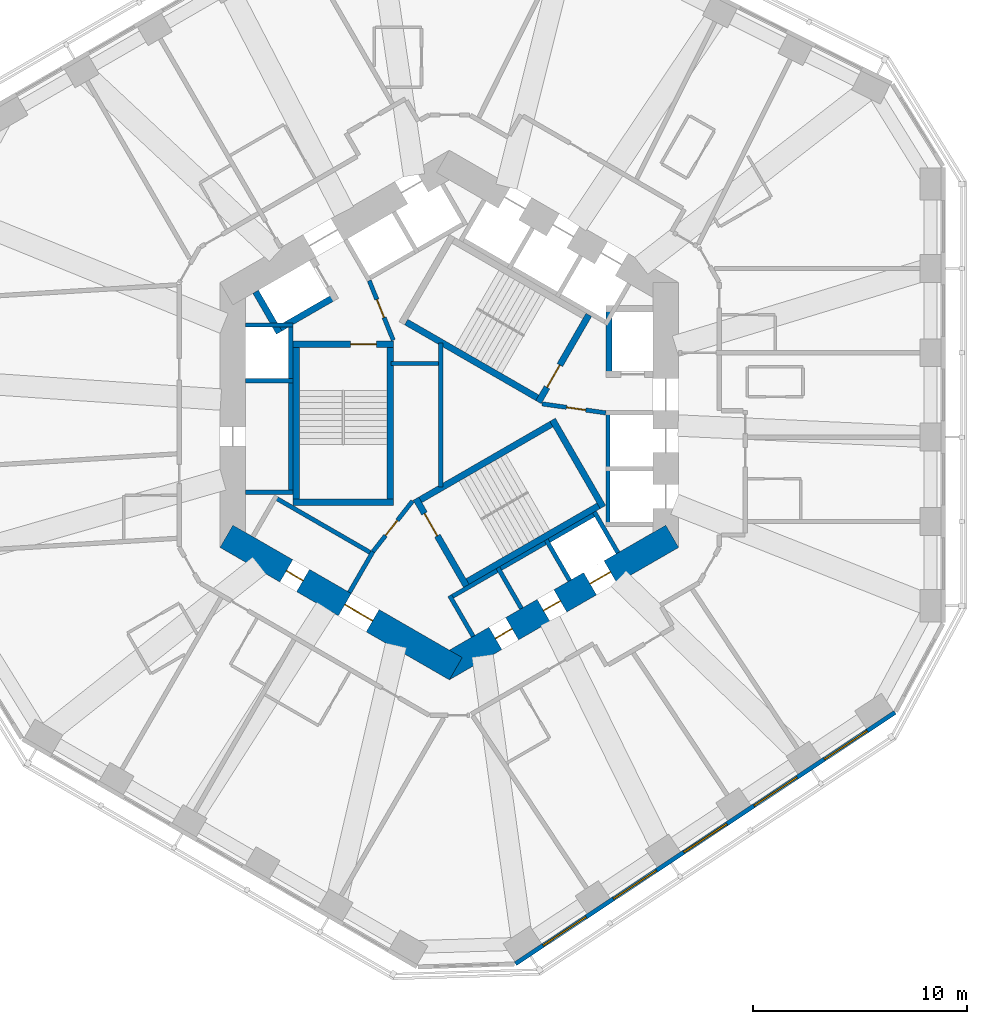
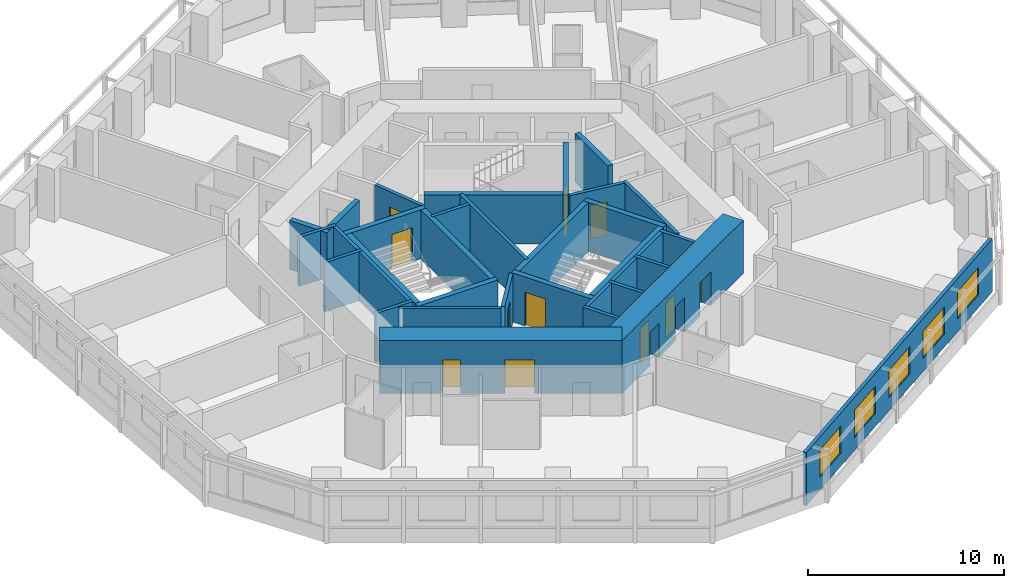
# One storey, part 5 of 12: 33 walls, 11 doors, 5 windows, 16 openings.
"""IFC4 building model written with IfcOpenShell, lengths in metres."""

from ifc_helpers import new_model, si_unit, direction, frame, frame_2d, origin, place, context, subcontext, project, spatial, rectangle, extrude, material, layer, layer_set, type_object, element, fill, save


model = new_model("IFC4")

# Units and contexts
model_context = context("Model", 3, precision=1e-05, world=origin(), true_north=direction((0.0, 1.0)))
body_context = subcontext(model_context, "Body", "Model", "MODEL_VIEW")
ifc_project = project(units=[si_unit("LENGTHUNIT", "METRE"), si_unit("AREAUNIT", "SQUARE_METRE"), si_unit("VOLUMEUNIT", "CUBIC_METRE"), si_unit("PLANEANGLEUNIT", "RADIAN"), si_unit("MASSUNIT", "GRAM", prefix="KILO")], contexts=[model_context])

# Site, building, storey
site_placement = place(None, origin())
site = spatial("IfcSite", under=ifc_project, at=site_placement, CompositionType="ELEMENT")
building_placement = place(site_placement, origin())
building = spatial("IfcBuilding", under=site, at=building_placement, Name="Vanh Sen Convention Tower", CompositionType="ELEMENT")
storey_placement = place(building_placement, frame((0.0, 0.0, 44.0)))
storey = spatial("IfcBuildingStorey", under=building, at=storey_placement, Name="L07", CompositionType="ELEMENT", Elevation=44.0)

# Wall, openings, doors
ifc_material_1 = material(Name="Concrete C80/95", Category="concrete")
ifc_layer_1 = layer(ifc_material_1, 1.199951171875)
ifc_layer_set_1 = layer_set([ifc_layer_1], Name="Concrete C80/95")
wall_type_1 = type_object("IfcWallType", Name="Core outer wall 1200 C80/95", PredefinedType="SHEAR", material=ifc_layer_set_1)
wall_1_placement = place(storey_placement, frame((-10.39990234375, -5.657958984375, 0.0), z_axis=(0.0, 0.0, 1.0), x_axis=(0.866021384402, -0.500006961711, 0.0)))
wall_1 = element("IfcWall", 1, at=wall_1_placement, inside=storey, type_object=wall_type_1, Name="Core wall face SW L07", PredefinedType="SHEAR", context=body_context, shape_type="SweptSolid", body=[
    extrude(rectangle(XDim=12.355224609375, YDim=1.199951171875, at=frame_2d((6.177734375, 0.0))), origin(), (0.0, 0.0, 1.0), 3.300048828125),
])
opening_1_placement = place(wall_1_placement, frame((6.377685546875, 0.0, 0.0)))
opening_1 = element("IfcOpeningElement", 2, at=opening_1_placement, cuts=wall_1, Name="Opening D07003", PredefinedType="OPENING", context=body_context, shape_type="SweptSolid", body=[
    extrude(rectangle(XDim=1.5, YDim=2.10009765625, at=frame_2d((0.75, 1.050048828125))), frame((0.0, 0.60986328125, 0.0), z_axis=(0.0, -1.0, 0.0), x_axis=(1.0, 0.0, 0.0)), (0.0, 0.0, 1.0), 1.219970703125),
])
opening_2_placement = place(wall_1_placement, frame((3.227783203125, 0.0, 0.0)))
opening_2 = element("IfcOpeningElement", 3, at=opening_2_placement, cuts=wall_1, Name="Opening D07011", PredefinedType="OPENING", context=body_context, shape_type="SweptSolid", body=[
    extrude(rectangle(XDim=0.89990234375, YDim=2.10009765625, at=frame_2d((0.449951171875, 1.050048828125))), frame((0.0, 0.60986328125, 0.0), z_axis=(0.0, -1.0, 0.0), x_axis=(1.0, 0.0, 0.0)), (0.0, 0.0, 1.0), 1.219970703125),
])
ifc_material_2 = material(Name="Steel S355", Category="steel")
door_type_1 = type_object("IfcDoorType", Name="Plant door 900", OperationType="SINGLE_SWING_LEFT", PredefinedType="DOOR", material=ifc_material_2)
door_1_placement = place(opening_2_placement, origin())
door_1 = element("IfcDoor", 4, at=door_1_placement, inside=storey, type_object=door_type_1, Name="Plant door D07011", OperationType="SINGLE_SWING_LEFT", OverallHeight=2.10009765625, OverallWidth=0.89990234375, PredefinedType="DOOR", context=body_context, shape_type="SweptSolid", body=[
    extrude(rectangle(XDim=0.89990234375, YDim=2.10009765625, at=frame_2d((0.449951171875, 1.050048828125))), frame((0.0, 0.02490234375, 0.0), z_axis=(0.0, -1.0, 0.0), x_axis=(1.0, 0.0, 0.0)), (0.0, 0.0, 1.0), 0.050048828125),
])
fill(opening_2, door_1)
door_type_2 = type_object("IfcDoorType", Name="Stair lobby door 1500", OperationType="DOUBLE_DOOR_SINGLE_SWING", PredefinedType="DOOR", material=ifc_material_2)
door_2_placement = place(opening_1_placement, origin())
door_2 = element("IfcDoor", 5, at=door_2_placement, inside=storey, type_object=door_type_2, Name="Stair lobby door D07003", OperationType="DOUBLE_DOOR_SINGLE_SWING", OverallHeight=2.10009765625, OverallWidth=1.5, PredefinedType="DOOR", context=body_context, shape_type="SweptSolid", body=[
    extrude(rectangle(XDim=1.5, YDim=2.10009765625, at=frame_2d((0.75, 1.050048828125))), frame((0.0, 0.02490234375, 0.0), z_axis=(0.0, -1.0, 0.0), x_axis=(1.0, 0.0, 0.0)), (0.0, 0.0, 1.0), 0.050048828125),
])
fill(opening_1, door_2)

wall_2_placement = place(storey_placement, frame((-0.300048828125, -11.835693359375, 0.0), z_axis=(0.0, 0.0, 1.0), x_axis=(0.866021384402, 0.500006961711, 0.0)))
wall_2 = element("IfcWall", 6, at=wall_2_placement, inside=storey, type_object=wall_type_1, Name="Core wall face SE L07", PredefinedType="SHEAR", context=body_context, shape_type="SweptSolid", body=[
    extrude(rectangle(XDim=12.355224609375, YDim=1.199951171875, at=frame_2d((6.177734375, 0.0))), origin(), (0.0, 0.0, 1.0), 3.300048828125),
])
opening_3_placement = place(wall_2_placement, frame((2.82763671875, 0.0, 0.0)))
opening_3 = element("IfcOpeningElement", 7, at=opening_3_placement, cuts=wall_2, Name="Opening D07012", PredefinedType="OPENING", context=body_context, shape_type="SweptSolid", body=[
    extrude(rectangle(XDim=0.89990234375, YDim=2.10009765625, at=frame_2d((0.449951171875, 1.050048828125))), frame((0.0, 0.60986328125, 0.0), z_axis=(0.0, -1.0, 0.0), x_axis=(1.0, 0.0, 0.0)), (0.0, 0.0, 1.0), 1.219970703125),
])
opening_4_placement = place(wall_2_placement, frame((5.427734375, 0.0, 0.0)))
opening_4 = element("IfcOpeningElement", 8, at=opening_4_placement, cuts=wall_2, Name="Opening D07013", PredefinedType="OPENING", context=body_context, shape_type="SweptSolid", body=[
    extrude(rectangle(XDim=0.89990234375, YDim=2.10009765625, at=frame_2d((0.449951171875, 1.050048828125))), frame((0.0, 0.60986328125, 0.0), z_axis=(0.0, -1.0, 0.0), x_axis=(1.0, 0.0, 0.0)), (0.0, 0.0, 1.0), 1.219970703125),
])
opening_5_placement = place(wall_2_placement, frame((7.927734375, 0.0, 0.0)))
opening_5 = element("IfcOpeningElement", 9, at=opening_5_placement, cuts=wall_2, Name="Opening LD-SV1", PredefinedType="OPENING", context=body_context, shape_type="SweptSolid", body=[
    extrude(rectangle(XDim=1.10009765625, YDim=2.10009765625, at=frame_2d((0.550048828125, 1.050048828125))), frame((0.0, 0.60986328125, 0.0), z_axis=(0.0, -1.0, 0.0), x_axis=(1.0, 0.0, 0.0)), (0.0, 0.0, 1.0), 1.219970703125),
])
ifc_material_3 = material(Name="Stainless steel", Category="steel")
door_type_3 = type_object("IfcDoorType", Name="Lift landing door 1100", OperationType="DOUBLE_DOOR_SLIDING", PredefinedType="DOOR", material=ifc_material_3)
door_3_placement = place(opening_5_placement, origin())
door_3 = element("IfcDoor", 10, at=door_3_placement, inside=storey, type_object=door_type_3, Name="Lift SV1 landing door LD-SV1", OperationType="DOUBLE_DOOR_SLIDING", OverallHeight=2.10009765625, OverallWidth=1.10009765625, PredefinedType="DOOR", context=body_context, shape_type="SweptSolid", body=[
    extrude(rectangle(XDim=1.10009765625, YDim=2.10009765625, at=frame_2d((0.550048828125, 1.050048828125))), frame((0.0, 0.02490234375, 0.0), z_axis=(0.0, -1.0, 0.0), x_axis=(1.0, 0.0, 0.0)), (0.0, 0.0, 1.0), 0.050048828125),
])
fill(opening_5, door_3)
door_4_placement = place(opening_3_placement, origin())
door_4 = element("IfcDoor", 11, at=door_4_placement, inside=storey, type_object=door_type_1, Name="Plant door D07012", OperationType="SINGLE_SWING_LEFT", OverallHeight=2.10009765625, OverallWidth=0.89990234375, PredefinedType="DOOR", context=body_context, shape_type="SweptSolid", body=[
    extrude(rectangle(XDim=0.89990234375, YDim=2.10009765625, at=frame_2d((0.449951171875, 1.050048828125))), frame((0.0, 0.02490234375, 0.0), z_axis=(0.0, -1.0, 0.0), x_axis=(1.0, 0.0, 0.0)), (0.0, 0.0, 1.0), 0.050048828125),
])
fill(opening_3, door_4)
door_5_placement = place(opening_4_placement, origin())
door_5 = element("IfcDoor", 12, at=door_5_placement, inside=storey, type_object=door_type_1, Name="Plant door D07013", OperationType="SINGLE_SWING_LEFT", OverallHeight=2.10009765625, OverallWidth=0.89990234375, PredefinedType="DOOR", context=body_context, shape_type="SweptSolid", body=[
    extrude(rectangle(XDim=0.89990234375, YDim=2.10009765625, at=frame_2d((0.449951171875, 1.050048828125))), frame((0.0, 0.02490234375, 0.0), z_axis=(0.0, -1.0, 0.0), x_axis=(1.0, 0.0, 0.0)), (0.0, 0.0, 1.0), 0.050048828125),
])
fill(opening_4, door_5)

# Walls
ifc_material_4 = material(Name="Masonry blockwork", Category="masonry")
ifc_layer_2 = layer(ifc_material_4, 0.199951171875)
ifc_layer_set_2 = layer_set([ifc_layer_2], Name="Masonry blockwork")
wall_type_2 = type_object("IfcWallType", Name="Core partition 200", PredefinedType="PARTITIONING", material=ifc_layer_set_2)
wall_3_placement = place(storey_placement, frame((-2.719970703125, 2.39990234375, 0.0), z_axis=(0.0, 0.0, 1.0), x_axis=(1.0, 0.0, 0.0)))
element("IfcWall", 13, at=wall_3_placement, inside=storey, type_object=wall_type_2, Name="Core partition L07", PredefinedType="PARTITIONING", context=body_context, shape_type="SweptSolid", body=[
    extrude(rectangle(XDim=2.219970703125, YDim=0.199951171875, at=frame_2d((1.10986328125, 0.0))), origin(), (0.0, 0.0, 1.0), 3.050048828125),
])
wall_4_placement = place(storey_placement, frame((-0.39990234375, -3.353271484375, 0.0), z_axis=(0.0, 0.0, 1.0), x_axis=(0.0, 1.0, 0.0)))
element("IfcWall", 14, at=wall_4_placement, inside=storey, type_object=wall_type_2, Name="Core partition L07", PredefinedType="PARTITIONING", context=body_context, shape_type="SweptSolid", body=[
    extrude(rectangle(XDim=6.70654296875, YDim=0.199951171875, at=frame_2d((3.353271484375, 0.0))), origin(), (0.0, 0.0, 1.0), 3.050048828125),
])

# Wall, openings, windows
ifc_material_5 = material(Name="Insulated lightweight infill wall")
ifc_layer_3 = layer(ifc_material_5, 0.199951171875)
ifc_layer_set_3 = layer_set([ifc_layer_3], Name="Insulated lightweight infill wall")
wall_type_3 = type_object("IfcWallType", Name="External wall 200", PredefinedType="STANDARD", material=ifc_layer_set_3)
wall_5_placement = place(storey_placement, frame((3.0830078125, -25.60107421875, 0.0), z_axis=(0.0, 0.0, 1.0), x_axis=(0.833884295743, 0.551939291329, 0.0)))
wall_5 = element("IfcWall", 15, at=wall_5_placement, inside=storey, type_object=wall_type_3, Name="External wall SE L07", PredefinedType="STANDARD", context=body_context, shape_type="SweptSolid", body=[
    extrude(rectangle(XDim=21.24609375, YDim=0.199951171875, at=frame_2d((10.623046875, 0.0))), origin(), (0.0, 0.0, 1.0), 3.300048828125),
])
opening_6_placement = place(wall_5_placement, frame((1.552978515625, 0.0, 0.800048828125)))
opening_6 = element("IfcOpeningElement", 16, at=opening_6_placement, cuts=wall_5, Name="Opening WH1-SE1", PredefinedType="OPENING", context=body_context, shape_type="SweptSolid", body=[
    extrude(rectangle(XDim=2.39990234375, YDim=1.699951171875, at=frame_2d((1.199951171875, 0.85009765625))), frame((0.0, 0.10986328125, 0.0), z_axis=(0.0, -1.0, 0.0), x_axis=(1.0, 0.0, 0.0)), (0.0, 0.0, 1.0), 0.219970703125),
])
opening_7_placement = place(wall_5_placement, frame((5.487548828125, 0.0, 0.800048828125)))
opening_7 = element("IfcOpeningElement", 17, at=opening_7_placement, cuts=wall_5, Name="Opening WH1-SE2", PredefinedType="OPENING", context=body_context, shape_type="SweptSolid", body=[
    extrude(rectangle(XDim=2.39990234375, YDim=1.699951171875, at=frame_2d((1.199951171875, 0.85009765625))), frame((0.0, 0.10986328125, 0.0), z_axis=(0.0, -1.0, 0.0), x_axis=(1.0, 0.0, 0.0)), (0.0, 0.0, 1.0), 0.219970703125),
])
opening_8_placement = place(wall_5_placement, frame((9.422119140625, 0.0, 0.800048828125)))
opening_8 = element("IfcOpeningElement", 18, at=opening_8_placement, cuts=wall_5, Name="Opening WH1-SE3", PredefinedType="OPENING", context=body_context, shape_type="SweptSolid", body=[
    extrude(rectangle(XDim=2.39990234375, YDim=1.699951171875, at=frame_2d((1.199951171875, 0.85009765625))), frame((0.0, 0.10986328125, 0.0), z_axis=(0.0, -1.0, 0.0), x_axis=(1.0, 0.0, 0.0)), (0.0, 0.0, 1.0), 0.219970703125),
])
opening_9_placement = place(wall_5_placement, frame((13.356689453125, 0.0, 0.800048828125)))
opening_9 = element("IfcOpeningElement", 19, at=opening_9_placement, cuts=wall_5, Name="Opening WH1-SE4", PredefinedType="OPENING", context=body_context, shape_type="SweptSolid", body=[
    extrude(rectangle(XDim=2.39990234375, YDim=1.699951171875, at=frame_2d((1.199951171875, 0.85009765625))), frame((0.0, 0.10986328125, 0.0), z_axis=(0.0, -1.0, 0.0), x_axis=(1.0, 0.0, 0.0)), (0.0, 0.0, 1.0), 0.219970703125),
])
opening_10_placement = place(wall_5_placement, frame((17.291259765625, 0.0, 0.800048828125)))
opening_10 = element("IfcOpeningElement", 20, at=opening_10_placement, cuts=wall_5, Name="Opening WH1-SE5", PredefinedType="OPENING", context=body_context, shape_type="SweptSolid", body=[
    extrude(rectangle(XDim=2.39990234375, YDim=1.699951171875, at=frame_2d((1.199951171875, 0.85009765625))), frame((0.0, 0.10986328125, 0.0), z_axis=(0.0, -1.0, 0.0), x_axis=(1.0, 0.0, 0.0)), (0.0, 0.0, 1.0), 0.219970703125),
])
ifc_material_6 = material(Name="Aluminium frame with clear low-emissivity glass", Category="aluminium")
window_type = type_object("IfcWindowType", Name="Hotel window 2400 x 1700", PartitioningType="SINGLE_PANEL", PredefinedType="WINDOW", material=ifc_material_6)
window_1_placement = place(opening_6_placement, origin())
window_1 = element("IfcWindow", 21, at=window_1_placement, inside=storey, type_object=window_type, Name="Window WH1-SE1", OverallHeight=1.699951171875, OverallWidth=2.39990234375, PartitioningType="SINGLE_PANEL", PredefinedType="WINDOW", context=body_context, shape_type="SweptSolid", body=[
    extrude(rectangle(XDim=2.39990234375, YDim=1.699951171875, at=frame_2d((1.199951171875, 0.85009765625))), frame((0.0, 0.030029296875, 0.0), z_axis=(0.0, -1.0, 0.0), x_axis=(1.0, 0.0, 0.0)), (0.0, 0.0, 1.0), 0.06005859375),
])
fill(opening_6, window_1)
window_2_placement = place(opening_7_placement, origin())
window_2 = element("IfcWindow", 22, at=window_2_placement, inside=storey, type_object=window_type, Name="Window WH1-SE2", OverallHeight=1.699951171875, OverallWidth=2.39990234375, PartitioningType="SINGLE_PANEL", PredefinedType="WINDOW", context=body_context, shape_type="SweptSolid", body=[
    extrude(rectangle(XDim=2.39990234375, YDim=1.699951171875, at=frame_2d((1.199951171875, 0.85009765625))), frame((0.0, 0.030029296875, 0.0), z_axis=(0.0, -1.0, 0.0), x_axis=(1.0, 0.0, 0.0)), (0.0, 0.0, 1.0), 0.06005859375),
])
fill(opening_7, window_2)
window_3_placement = place(opening_8_placement, origin())
window_3 = element("IfcWindow", 23, at=window_3_placement, inside=storey, type_object=window_type, Name="Window WH1-SE3", OverallHeight=1.699951171875, OverallWidth=2.39990234375, PartitioningType="SINGLE_PANEL", PredefinedType="WINDOW", context=body_context, shape_type="SweptSolid", body=[
    extrude(rectangle(XDim=2.39990234375, YDim=1.699951171875, at=frame_2d((1.199951171875, 0.85009765625))), frame((0.0, 0.030029296875, 0.0), z_axis=(0.0, -1.0, 0.0), x_axis=(1.0, 0.0, 0.0)), (0.0, 0.0, 1.0), 0.06005859375),
])
fill(opening_8, window_3)
window_4_placement = place(opening_9_placement, origin())
window_4 = element("IfcWindow", 24, at=window_4_placement, inside=storey, type_object=window_type, Name="Window WH1-SE4", OverallHeight=1.699951171875, OverallWidth=2.39990234375, PartitioningType="SINGLE_PANEL", PredefinedType="WINDOW", context=body_context, shape_type="SweptSolid", body=[
    extrude(rectangle(XDim=2.39990234375, YDim=1.699951171875, at=frame_2d((1.199951171875, 0.85009765625))), frame((0.0, 0.030029296875, 0.0), z_axis=(0.0, -1.0, 0.0), x_axis=(1.0, 0.0, 0.0)), (0.0, 0.0, 1.0), 0.06005859375),
])
fill(opening_9, window_4)
window_5_placement = place(opening_10_placement, origin())
window_5 = element("IfcWindow", 25, at=window_5_placement, inside=storey, type_object=window_type, Name="Window WH1-SE5", OverallHeight=1.699951171875, OverallWidth=2.39990234375, PartitioningType="SINGLE_PANEL", PredefinedType="WINDOW", context=body_context, shape_type="SweptSolid", body=[
    extrude(rectangle(XDim=2.39990234375, YDim=1.699951171875, at=frame_2d((1.199951171875, 0.85009765625))), frame((0.0, 0.030029296875, 0.0), z_axis=(0.0, -1.0, 0.0), x_axis=(1.0, 0.0, 0.0)), (0.0, 0.0, 1.0), 0.06005859375),
])
fill(opening_10, window_5)

# Walls
ifc_material_7 = material(Name="Concrete C60/75", Category="concrete")
ifc_layer_4 = layer(ifc_material_7, 0.300048828125)
ifc_layer_set_4 = layer_set([ifc_layer_4], Name="Concrete C60/75")
wall_type_4 = type_object("IfcWallType", Name="Fire-fighting lift shaft wall 300", PredefinedType="SHEAR", material=ifc_layer_set_4)
wall_6_placement = place(storey_placement, frame((7.449951171875, 1.75, 0.0), z_axis=(0.0, 0.0, 1.0), x_axis=(0.0, 1.0, 0.0)))
element("IfcWall", 26, at=wall_6_placement, inside=storey, type_object=wall_type_4, Name="Fire-fighting lift shaft wall L07", PredefinedType="SHEAR", context=body_context, shape_type="SweptSolid", body=[
    extrude(rectangle(XDim=3.35009765625, YDim=0.300048828125, at=frame_2d((1.675048828125, 0.0))), origin(), (0.0, 0.0, 1.0), 3.050048828125),
])
wall_7_placement = place(storey_placement, frame((-5.240478515625, 5.576904296875, 0.0), z_axis=(0.0, 0.0, 1.0), x_axis=(-0.866014461049, -0.500018952895, 0.0)))
element("IfcWall", 27, at=wall_7_placement, inside=storey, type_object=wall_type_4, Name="Fire-fighting lift shaft wall L07", PredefinedType="SHEAR", context=body_context, shape_type="SweptSolid", body=[
    extrude(rectangle(XDim=3.349853515625, YDim=0.300048828125, at=frame_2d((1.6748046875, 0.0))), origin(), (0.0, 0.0, 1.0), 3.050048828125),
])
wall_8_placement = place(storey_placement, frame((-7.936767578125, 3.846923828125, 0.0), z_axis=(0.0, 0.0, 1.0), x_axis=(-0.50002983664, 0.866008176907, 0.0)))
element("IfcWall", 28, at=wall_8_placement, inside=storey, type_object=wall_type_4, Name="Fire-fighting lift shaft wall L07", PredefinedType="SHEAR", context=body_context, shape_type="SweptSolid", body=[
    extrude(rectangle(XDim=2.199951171875, YDim=0.300048828125, at=frame_2d((1.10009765625, 0.0))), origin(), (0.0, 0.0, 1.0), 3.050048828125),
])
ifc_material_8 = material(Name="Concrete C40/50", Category="concrete")
ifc_layer_5 = layer(ifc_material_8, 0.199951171875)
ifc_layer_set_5 = layer_set([ifc_layer_5], Name="Concrete C40/50")
wall_type_5 = type_object("IfcWallType", Name="Lift shaft wall 200", PredefinedType="PARTITIONING", material=ifc_layer_set_5)
wall_9_placement = place(storey_placement, frame((7.39990234375, -5.199951171875, 0.0), z_axis=(0.0, 0.0, 1.0), x_axis=(0.0, 1.0, 0.0)))
element("IfcWall", 29, at=wall_9_placement, inside=storey, type_object=wall_type_5, Name="Lift shaft wall L07", PredefinedType="PARTITIONING", context=body_context, shape_type="SweptSolid", body=[
    extrude(rectangle(XDim=5.39990234375, YDim=0.199951171875, at=frame_2d((2.699951171875, 0.0))), origin(), (0.0, 0.0, 1.0), 3.050048828125),
])
wall_10_placement = place(storey_placement, frame((-7.39990234375, 4.300048828125, 0.0), z_axis=(0.0, 0.0, 1.0), x_axis=(0.0, -1.0, 0.0)))
element("IfcWall", 30, at=wall_10_placement, inside=storey, type_object=wall_type_5, Name="Lift shaft wall L07", PredefinedType="PARTITIONING", context=body_context, shape_type="SweptSolid", body=[
    extrude(rectangle(XDim=8.0, YDim=0.199951171875, at=frame_2d((4.0, 0.0))), origin(), (0.0, 0.0, 1.0), 3.050048828125),
])
for number, where, z_axis, x_axis, name in (
    (31, (-7.300048828125, 4.199951171875, 0.0), (0.0, 0.0, 1.0), (-1.0, 0.0, 0.0), "Lift shaft wall L07"),
    (32, (-7.300048828125, 1.60009765625, 0.0), (0.0, 0.0, 1.0), (-1.0, 0.0, 0.0), "Lift shaft wall L07"),
    (33, (-7.300048828125, -3.60009765625, 0.0), (0.0, 0.0, 1.0), (-1.0, 0.0, 0.0), "Lift shaft wall L07"),
):
    element("IfcWall", number, at=place(storey_placement, frame(where, z_axis=z_axis, x_axis=x_axis)), inside=storey, type_object=wall_type_5, Name=name, PredefinedType="PARTITIONING", context=body_context, shape_type="SweptSolid", body=[
        extrude(rectangle(XDim=2.199951171875, YDim=0.199951171875, at=frame_2d((1.10009765625, 0.0))), origin(), (0.0, 0.0, 1.0), 3.050048828125),
    ])
wall_11_placement = place(storey_placement, frame((-8.203369140625, -3.80859375, 0.0), z_axis=(0.0, 0.0, 1.0), x_axis=(0.866028230842, -0.499995103361, 0.0)))
element("IfcWall", 34, at=wall_11_placement, inside=storey, type_object=wall_type_5, Name="Lift shaft wall L07", PredefinedType="PARTITIONING", context=body_context, shape_type="SweptSolid", body=[
    extrude(rectangle(XDim=5.39990234375, YDim=0.199951171875, at=frame_2d((2.699951171875, 0.0))), origin(), (0.0, 0.0, 1.0), 3.050048828125),
])
wall_12_placement = place(storey_placement, frame((-3.5634765625, -6.3720703125, 0.0), z_axis=(0.0, 0.0, 1.0), x_axis=(-0.499994660107, -0.866028486751, 0.0)))
element("IfcWall", 35, at=wall_12_placement, inside=storey, type_object=wall_type_5, Name="Lift shaft wall L07", PredefinedType="PARTITIONING", context=body_context, shape_type="SweptSolid", body=[
    extrude(rectangle(XDim=2.19970703125, YDim=0.199951171875, at=frame_2d((1.099853515625, 0.0))), origin(), (0.0, 0.0, 1.0), 3.050048828125),
])
wall_13_placement = place(storey_placement, frame((-0.02392578125, -8.55859375, 0.0), z_axis=(0.0, 0.0, 1.0), x_axis=(0.866026010844, 0.49999894854, 0.0)))
element("IfcWall", 36, at=wall_13_placement, inside=storey, type_object=wall_type_5, Name="Lift shaft wall L07", PredefinedType="PARTITIONING", context=body_context, shape_type="SweptSolid", body=[
    extrude(rectangle(XDim=8.0, YDim=0.199951171875, at=frame_2d((4.0, 0.0))), origin(), (0.0, 0.0, 1.0), 3.050048828125),
])
for number, where, z_axis, x_axis, name in (
    (37, (0.0126953125, -8.422119140625, 0.0), (0.0, 0.0, 1.0), (0.500077893725, -0.86598042715, 0.0), "Lift shaft wall L07"),
    (38, (2.264404296875, -7.1220703125, 0.0), (0.0, 0.0, 1.0), (0.500077893725, -0.86598042715, 0.0), "Lift shaft wall L07"),
    (39, (4.51611328125, -5.822021484375, 0.0), (0.0, 0.0, 1.0), (0.499946605688, -0.86605622881, 0.0), "Lift shaft wall L07"),
    (40, (6.767578125, -4.52197265625, 0.0), (0.0, 0.0, 1.0), (0.50002983664, -0.866008176907, 0.0), "Lift shaft wall L07"),
):
    element("IfcWall", number, at=place(storey_placement, frame(where, z_axis=z_axis, x_axis=x_axis)), inside=storey, type_object=wall_type_5, Name=name, PredefinedType="PARTITIONING", context=body_context, shape_type="SweptSolid", body=[
        extrude(rectangle(XDim=2.199951171875, YDim=0.199951171875, at=frame_2d((1.10009765625, 0.0))), origin(), (0.0, 0.0, 1.0), 3.050048828125),
    ])

# Wall, opening, door
ifc_layer_6 = layer(ifc_material_8, 0.199951171875)
ifc_layer_set_6 = layer_set([ifc_layer_6], Name="Concrete C40/50")
wall_type_6 = type_object("IfcWallType", Name="Stair lobby wall 200", PredefinedType="PARTITIONING", material=ifc_layer_set_6)
wall_14_placement = place(storey_placement, frame((4.327392578125, 0.52099609375, 0.0), z_axis=(0.0, 0.0, 1.0), x_axis=(0.990124376366, -0.14019172346, 0.0)))
wall_14 = element("IfcWall", 41, at=wall_14_placement, inside=storey, type_object=wall_type_6, Name="Stair lobby wall L07", PredefinedType="PARTITIONING", context=body_context, shape_type="SweptSolid", body=[
    extrude(rectangle(XDim=3.002197265625, YDim=0.199951171875, at=frame_2d((1.5009765625, 0.0))), origin(), (0.0, 0.0, 1.0), 3.050048828125),
])
opening_11_placement = place(wall_14_placement, frame((1.14990234375, 0.0, 0.0)))
opening_11 = element("IfcOpeningElement", 42, at=opening_11_placement, cuts=wall_14, Name="Opening D07007", PredefinedType="OPENING", context=body_context, shape_type="SweptSolid", body=[
    extrude(rectangle(XDim=0.89990234375, YDim=2.10009765625, at=frame_2d((0.449951171875, 1.050048828125))), frame((0.0, 0.10986328125, 0.0), z_axis=(0.0, -1.0, 0.0), x_axis=(1.0, 0.0, 0.0)), (0.0, 0.0, 1.0), 0.219970703125),
])
door_6_placement = place(opening_11_placement, origin())
door_6 = element("IfcDoor", 43, at=door_6_placement, inside=storey, type_object=door_type_1, Name="Plant door D07007", OperationType="SINGLE_SWING_LEFT", OverallHeight=2.10009765625, OverallWidth=0.89990234375, PredefinedType="DOOR", context=body_context, shape_type="SweptSolid", body=[
    extrude(rectangle(XDim=0.89990234375, YDim=2.10009765625, at=frame_2d((0.449951171875, 1.050048828125))), frame((0.0, 0.02490234375, 0.0), z_axis=(0.0, -1.0, 0.0), x_axis=(1.0, 0.0, 0.0)), (0.0, 0.0, 1.0), 0.050048828125),
])
fill(opening_11, door_6)

wall_15_placement = place(storey_placement, frame((-2.614990234375, 3.487060546875, 0.0), z_axis=(0.0, 0.0, 1.0), x_axis=(-0.373576831041, 0.92759924068, 0.0)))
wall_15 = element("IfcWall", 44, at=wall_15_placement, inside=storey, type_object=wall_type_6, Name="Stair lobby wall L07", PredefinedType="PARTITIONING", context=body_context, shape_type="SweptSolid", body=[
    extrude(rectangle(XDim=3.002197265625, YDim=0.199951171875, at=frame_2d((1.5009765625, 0.0))), origin(), (0.0, 0.0, 1.0), 3.050048828125),
])
opening_12_placement = place(wall_15_placement, frame((1.14990234375, 0.0, 0.0)))
opening_12 = element("IfcOpeningElement", 45, at=opening_12_placement, cuts=wall_15, Name="Opening D07008", PredefinedType="OPENING", context=body_context, shape_type="SweptSolid", body=[
    extrude(rectangle(XDim=0.89990234375, YDim=2.10009765625, at=frame_2d((0.449951171875, 1.050048828125))), frame((0.0, 0.10986328125, 0.0), z_axis=(0.0, -1.0, 0.0), x_axis=(1.0, 0.0, 0.0)), (0.0, 0.0, 1.0), 0.219970703125),
])
door_7_placement = place(opening_12_placement, origin())
door_7 = element("IfcDoor", 46, at=door_7_placement, inside=storey, type_object=door_type_1, Name="Plant door D07008", OperationType="SINGLE_SWING_LEFT", OverallHeight=2.10009765625, OverallWidth=0.89990234375, PredefinedType="DOOR", context=body_context, shape_type="SweptSolid", body=[
    extrude(rectangle(XDim=0.89990234375, YDim=2.10009765625, at=frame_2d((0.449951171875, 1.050048828125))), frame((0.0, 0.02490234375, 0.0), z_axis=(0.0, -1.0, 0.0), x_axis=(1.0, 0.0, 0.0)), (0.0, 0.0, 1.0), 0.050048828125),
])
fill(opening_12, door_7)

wall_16_placement = place(storey_placement, frame((-1.71240234375, -4.00830078125, 0.0), z_axis=(0.0, 0.0, 1.0), x_axis=(-0.616549420702, -0.787316208287, 0.0)))
wall_16 = element("IfcWall", 47, at=wall_16_placement, inside=storey, type_object=wall_type_6, Name="Stair lobby wall L07", PredefinedType="PARTITIONING", context=body_context, shape_type="SweptSolid", body=[
    extrude(rectangle(XDim=3.002197265625, YDim=0.199951171875, at=frame_2d((1.5009765625, 0.0))), origin(), (0.0, 0.0, 1.0), 3.050048828125),
])
opening_13_placement = place(wall_16_placement, frame((1.14990234375, 0.0, 0.0)))
opening_13 = element("IfcOpeningElement", 48, at=opening_13_placement, cuts=wall_16, Name="Opening D07009", PredefinedType="OPENING", context=body_context, shape_type="SweptSolid", body=[
    extrude(rectangle(XDim=0.89990234375, YDim=2.10009765625, at=frame_2d((0.449951171875, 1.050048828125))), frame((0.0, 0.10986328125, 0.0), z_axis=(0.0, -1.0, 0.0), x_axis=(1.0, 0.0, 0.0)), (0.0, 0.0, 1.0), 0.219970703125),
])
door_8_placement = place(opening_13_placement, origin())
door_8 = element("IfcDoor", 49, at=door_8_placement, inside=storey, type_object=door_type_1, Name="Plant door D07009", OperationType="SINGLE_SWING_LEFT", OverallHeight=2.10009765625, OverallWidth=0.89990234375, PredefinedType="DOOR", context=body_context, shape_type="SweptSolid", body=[
    extrude(rectangle(XDim=0.89990234375, YDim=2.10009765625, at=frame_2d((0.449951171875, 1.050048828125))), frame((0.0, 0.02490234375, 0.0), z_axis=(0.0, -1.0, 0.0), x_axis=(1.0, 0.0, 0.0)), (0.0, 0.0, 1.0), 0.050048828125),
])
fill(opening_13, door_8)

ifc_layer_7 = layer(ifc_material_7, 0.300048828125)
ifc_layer_set_7 = layer_set([ifc_layer_7], Name="Concrete C60/75")
wall_type_7 = type_object("IfcWallType", Name="Stair wall 300", PredefinedType="SHEAR", material=ifc_layer_set_7)
wall_17_placement = place(storey_placement, frame((4.157958984375, 0.601806640625, 0.0), z_axis=(0.0, 0.0, 1.0), x_axis=(0.499977259774, 0.866038532462, 0.0)))
wall_17 = element("IfcWall", 50, at=wall_17_placement, inside=storey, type_object=wall_type_7, Name="Stair wall L07", PredefinedType="SHEAR", context=body_context, shape_type="SweptSolid", body=[
    extrude(rectangle(XDim=4.699951171875, YDim=0.300048828125, at=frame_2d((2.35009765625, 0.0))), origin(), (0.0, 0.0, 1.0), 3.050048828125),
])
opening_14_placement = place(wall_17_placement, frame((0.800048828125, 0.0, 0.0)))
opening_14 = element("IfcOpeningElement", 51, at=opening_14_placement, cuts=wall_17, Name="Opening D07004", PredefinedType="OPENING", context=body_context, shape_type="SweptSolid", body=[
    extrude(rectangle(XDim=1.199951171875, YDim=2.10009765625, at=frame_2d((0.60009765625, 1.050048828125))), frame((0.0, 0.159912109375, 0.0), z_axis=(0.0, -1.0, 0.0), x_axis=(1.0, 0.0, 0.0)), (0.0, 0.0, 1.0), 0.320068359375),
])
door_type_4 = type_object("IfcDoorType", Name="Stair door 1200", OperationType="SINGLE_SWING_RIGHT", PredefinedType="DOOR", material=ifc_material_2)
door_9_placement = place(opening_14_placement, origin())
door_9 = element("IfcDoor", 52, at=door_9_placement, inside=storey, type_object=door_type_4, Name="Stair ST1 door D07004", OperationType="SINGLE_SWING_RIGHT", OverallHeight=2.10009765625, OverallWidth=1.199951171875, PredefinedType="DOOR", context=body_context, shape_type="SweptSolid", body=[
    extrude(rectangle(XDim=1.199951171875, YDim=2.10009765625, at=frame_2d((0.60009765625, 1.050048828125))), frame((0.0, 0.02490234375, 0.0), z_axis=(0.0, -1.0, 0.0), x_axis=(1.0, 0.0, 0.0)), (0.0, 0.0, 1.0), 0.050048828125),
])
fill(opening_14, door_9)

# Wall
wall_18_placement = place(storey_placement, frame((4.10302734375, 0.806640625, 0.0), z_axis=(0.0, 0.0, 1.0), x_axis=(-0.866027801685, 0.499995846692, 0.0)))
element("IfcWall", 53, at=wall_18_placement, inside=storey, type_object=wall_type_7, Name="Stair wall L07", PredefinedType="SHEAR", context=body_context, shape_type="SweptSolid", body=[
    extrude(rectangle(XDim=7.06005859375, YDim=0.300048828125, at=frame_2d((3.530029296875, 0.0))), origin(), (0.0, 0.0, 1.0), 3.050048828125),
])

# Wall, opening, door
wall_19_placement = place(storey_placement, frame((-2.60009765625, 3.300048828125, 0.0), z_axis=(0.0, 0.0, 1.0), x_axis=(-1.0, 0.0, 0.0)))
wall_19 = element("IfcWall", 54, at=wall_19_placement, inside=storey, type_object=wall_type_7, Name="Stair wall L07", PredefinedType="SHEAR", context=body_context, shape_type="SweptSolid", body=[
    extrude(rectangle(XDim=4.699951171875, YDim=0.300048828125, at=frame_2d((2.35009765625, 0.0))), origin(), (0.0, 0.0, 1.0), 3.050048828125),
])
opening_15_placement = place(wall_19_placement, frame((0.800048828125, 0.0, 0.0)))
opening_15 = element("IfcOpeningElement", 55, at=opening_15_placement, cuts=wall_19, Name="Opening D07005", PredefinedType="OPENING", context=body_context, shape_type="SweptSolid", body=[
    extrude(rectangle(XDim=1.199951171875, YDim=2.10009765625, at=frame_2d((0.60009765625, 1.050048828125))), frame((0.0, 0.159912109375, 0.0), z_axis=(0.0, -1.0, 0.0), x_axis=(1.0, 0.0, 0.0)), (0.0, 0.0, 1.0), 0.320068359375),
])
door_10_placement = place(opening_15_placement, origin())
door_10 = element("IfcDoor", 56, at=door_10_placement, inside=storey, type_object=door_type_4, Name="Stair ST2 door D07005", OperationType="SINGLE_SWING_RIGHT", OverallHeight=2.10009765625, OverallWidth=1.199951171875, PredefinedType="DOOR", context=body_context, shape_type="SweptSolid", body=[
    extrude(rectangle(XDim=1.199951171875, YDim=2.10009765625, at=frame_2d((0.60009765625, 1.050048828125))), frame((0.0, 0.02490234375, 0.0), z_axis=(0.0, -1.0, 0.0), x_axis=(1.0, 0.0, 0.0)), (0.0, 0.0, 1.0), 0.050048828125),
])
fill(opening_15, door_10)

# Walls
wall_20_placement = place(storey_placement, frame((-2.60009765625, -4.06005859375, 0.0), z_axis=(0.0, 0.0, 1.0), x_axis=(-1.0, 0.0, 0.0)))
element("IfcWall", 57, at=wall_20_placement, inside=storey, type_object=wall_type_7, Name="Stair wall L07", PredefinedType="SHEAR", context=body_context, shape_type="SweptSolid", body=[
    extrude(rectangle(XDim=4.699951171875, YDim=0.300048828125, at=frame_2d((2.35009765625, 0.0))), origin(), (0.0, 0.0, 1.0), 3.050048828125),
])
for number, where, z_axis, x_axis, name in (
    (58, (-2.75, 3.14990234375, 0.0), (0.0, 0.0, 1.0), (0.0, -1.0, 0.0), "Stair wall L07"),
    (59, (-7.14990234375, 3.14990234375, 0.0), (0.0, 0.0, 1.0), (0.0, -1.0, 0.0), "Stair wall L07"),
):
    element("IfcWall", number, at=place(storey_placement, frame(where, z_axis=z_axis, x_axis=x_axis)), inside=storey, type_object=wall_type_7, Name=name, PredefinedType="SHEAR", context=body_context, shape_type="SweptSolid", body=[
        extrude(rectangle(XDim=7.059814453125, YDim=0.300048828125, at=frame_2d((3.52978515625, 0.0))), origin(), (0.0, 0.0, 1.0), 3.050048828125),
    ])

# Wall, opening, door
wall_21_placement = place(storey_placement, frame((-1.557861328125, -3.901611328125, 0.0), z_axis=(0.0, 0.0, 1.0), x_axis=(0.499977259774, -0.866038532462, 0.0)))
wall_21 = element("IfcWall", 60, at=wall_21_placement, inside=storey, type_object=wall_type_7, Name="Stair wall L07", PredefinedType="SHEAR", context=body_context, shape_type="SweptSolid", body=[
    extrude(rectangle(XDim=4.699951171875, YDim=0.300048828125, at=frame_2d((2.35009765625, 0.0))), origin(), (0.0, 0.0, 1.0), 3.050048828125),
])
opening_16_placement = place(wall_21_placement, frame((0.800048828125, 0.0, 0.0)))
opening_16 = element("IfcOpeningElement", 61, at=opening_16_placement, cuts=wall_21, Name="Opening D07006", PredefinedType="OPENING", context=body_context, shape_type="SweptSolid", body=[
    extrude(rectangle(XDim=1.199951171875, YDim=2.10009765625, at=frame_2d((0.60009765625, 1.050048828125))), frame((0.0, 0.159912109375, 0.0), z_axis=(0.0, -1.0, 0.0), x_axis=(1.0, 0.0, 0.0)), (0.0, 0.0, 1.0), 0.320068359375),
])
door_11_placement = place(opening_16_placement, origin())
door_11 = element("IfcDoor", 62, at=door_11_placement, inside=storey, type_object=door_type_4, Name="Stair ST3 door D07006", OperationType="SINGLE_SWING_RIGHT", OverallHeight=2.10009765625, OverallWidth=1.199951171875, PredefinedType="DOOR", context=body_context, shape_type="SweptSolid", body=[
    extrude(rectangle(XDim=1.199951171875, YDim=2.10009765625, at=frame_2d((0.60009765625, 1.050048828125))), frame((0.0, 0.02490234375, 0.0), z_axis=(0.0, -1.0, 0.0), x_axis=(1.0, 0.0, 0.0)), (0.0, 0.0, 1.0), 0.050048828125),
])
fill(opening_16, door_11)

# Walls
wall_22_placement = place(storey_placement, frame((4.816162109375, -0.2216796875, 0.0), z_axis=(0.0, 0.0, 1.0), x_axis=(0.499977259774, -0.866038532462, 0.0)))
element("IfcWall", 63, at=wall_22_placement, inside=storey, type_object=wall_type_7, Name="Stair wall L07", PredefinedType="SHEAR", context=body_context, shape_type="SweptSolid", body=[
    extrude(rectangle(XDim=4.699951171875, YDim=0.300048828125, at=frame_2d((2.35009765625, 0.0))), origin(), (0.0, 0.0, 1.0), 3.050048828125),
])
for number, where, z_axis, x_axis, name in (
    (64, (-1.35302734375, -3.95654296875, 0.0), (0.0, 0.0, 1.0), (0.866027801685, 0.499995846692, 0.0), "Stair wall L07"),
    (65, (0.846923828125, -7.76708984375, 0.0), (0.0, 0.0, 1.0), (0.866027801685, 0.499995846692, 0.0), "Stair wall L07"),
):
    element("IfcWall", number, at=place(storey_placement, frame(where, z_axis=z_axis, x_axis=x_axis)), inside=storey, type_object=wall_type_7, Name=name, PredefinedType="SHEAR", context=body_context, shape_type="SweptSolid", body=[
        extrude(rectangle(XDim=7.06005859375, YDim=0.300048828125, at=frame_2d((3.530029296875, 0.0))), origin(), (0.0, 0.0, 1.0), 3.050048828125),
    ])

save(model, "model.ifc")
